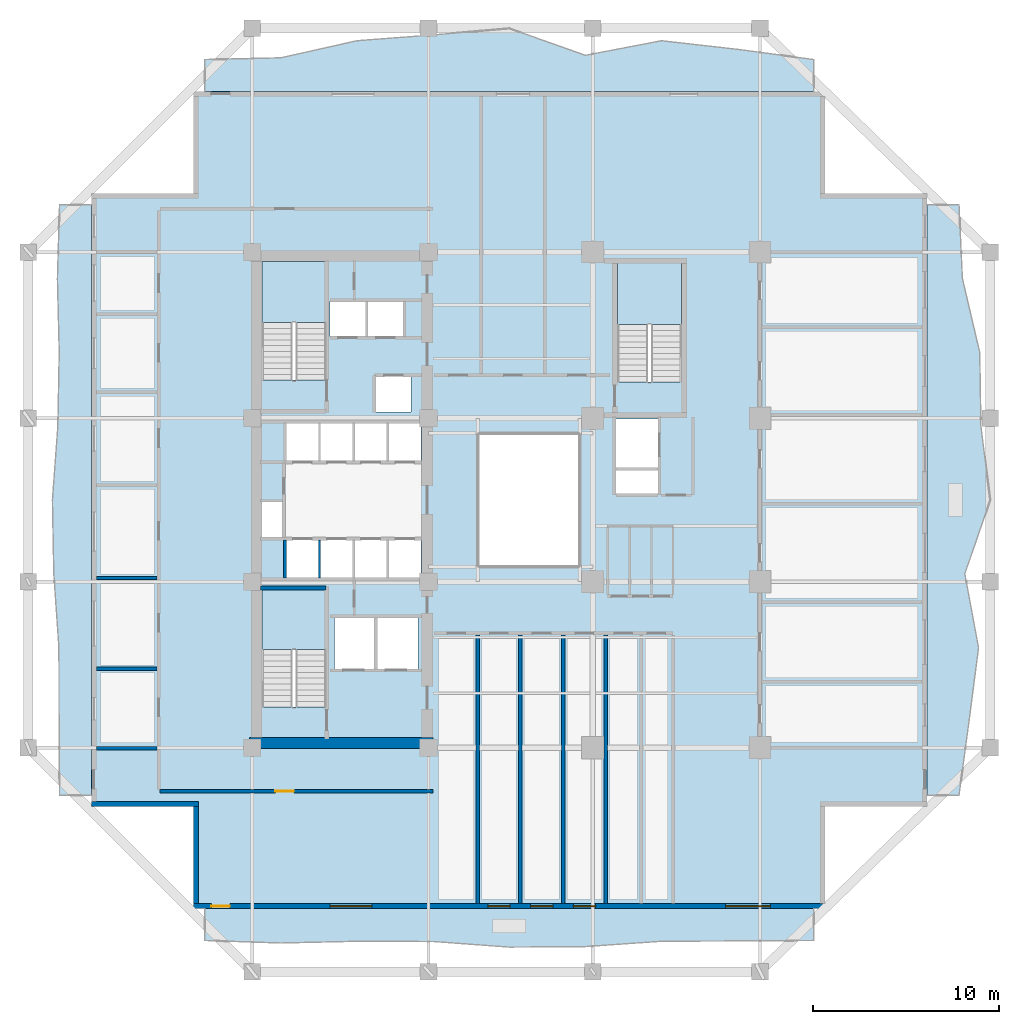
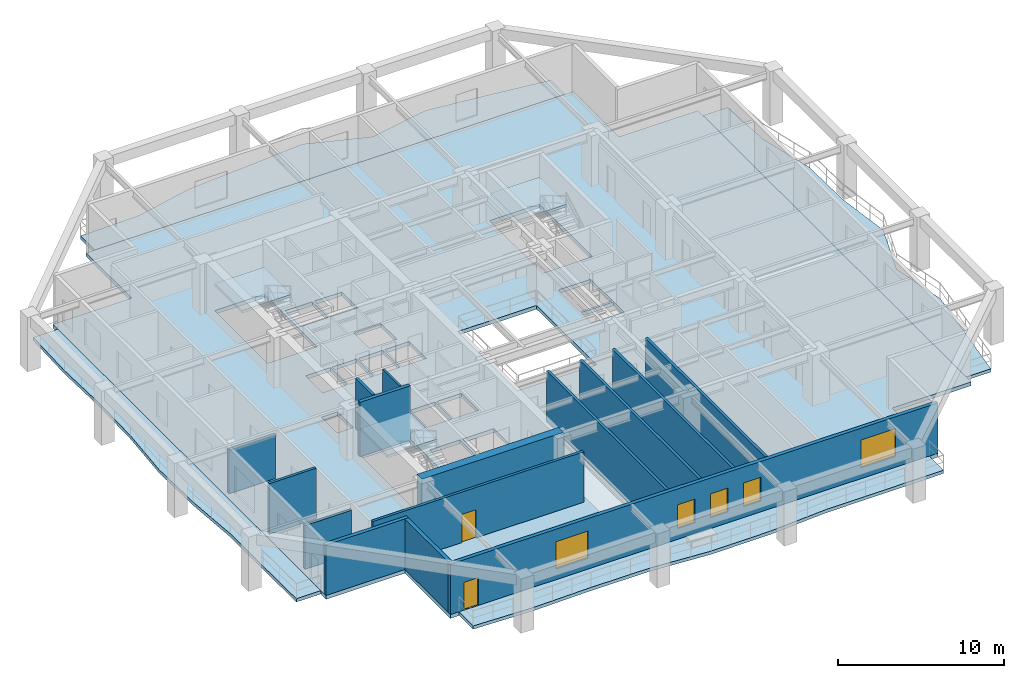
# One storey, part 2 of 14: 15 walls, 8 slabs, 5 windows, 2 doors, 7 openings, 3 elements without a shape of their own.
"""IFC4 building model written with IfcOpenShell, lengths in metres."""

from ifc_helpers import new_model, si_unit, direction, frame, frame_2d, origin, place, context, subcontext, project, spatial, polyline, rectangle, outline, extrude, material, layer, layer_set, type_object, element, fill, aggregate, save


model = new_model("IFC4")

# Units and contexts
model_context = context("Model", 3, precision=1e-05, world=origin(), true_north=direction((0.0, 1.0)))
body_context = subcontext(model_context, "Body", "Model", "MODEL_VIEW")
ifc_project = project(units=[si_unit("LENGTHUNIT", "METRE"), si_unit("AREAUNIT", "SQUARE_METRE"), si_unit("VOLUMEUNIT", "CUBIC_METRE"), si_unit("PLANEANGLEUNIT", "RADIAN"), si_unit("MASSUNIT", "GRAM", prefix="KILO")], contexts=[model_context])

# Site, building, storey
site_placement = place(None, origin())
site = spatial("IfcSite", under=ifc_project, at=site_placement, CompositionType="ELEMENT")
building_placement = place(site_placement, origin())
building = spatial("IfcBuilding", under=site, at=building_placement, Name="Kundavana Baori Tower", CompositionType="ELEMENT")
storey_placement = place(building_placement, frame((0.0, 0.0, 74.0)))
storey = spatial("IfcBuildingStorey", under=building, at=storey_placement, Name="L17", CompositionType="ELEMENT", Elevation=74.0)

# Slab
ifc_material_1 = material(Name="Concrete C40/50", Category="concrete")
ifc_layer_1 = layer(ifc_material_1, 0.280029296875, Name="SLB-FLR-280")
ifc_layer_set_1 = layer_set([ifc_layer_1], Name="Concrete C40/50")
slab_type_1 = type_object("IfcSlabType", Name="SLB-FLR-280", PredefinedType="FLOOR", material=ifc_layer_set_1)
slab_1_placement = place(storey_placement, frame((0.0, 0.0, -0.280029296875)))
element("IfcSlab", 1, at=slab_1_placement, inside=storey, type_object=slab_type_1, Name="L17 Structural Floor Slab", PredefinedType="FLOOR", context=body_context, shape_type="SweptSolid", body=[
    extrude(outline(polyline([(12.300048828125, 6.60009765625), (46.300048828125, 6.60009765625), (46.300048828125, 12.10009765625), (51.800048828125, 12.10009765625), (51.800048828125, 45.10009765625), (46.300048828125, 45.10009765625), (46.300048828125, 50.60009765625), (12.300048828125, 50.60009765625), (12.300048828125, 45.10009765625), (6.800048828125, 45.10009765625), (6.800048828125, 12.10009765625), (12.300048828125, 12.10009765625), (12.300048828125, 6.60009765625)]), holes=[polyline([(19.43994140625, 17.4619140625), (19.43994140625, 23.85009765625), (15.97998046875, 23.85009765625), (15.97998046875, 17.4619140625), (19.43994140625, 17.4619140625)]), polyline([(19.43994140625, 35.06201171875), (19.43994140625, 41.449951171875), (15.97998046875, 41.449951171875), (15.97998046875, 35.06201171875), (19.43994140625, 35.06201171875)]), polyline([(38.580078125, 34.9619140625), (38.580078125, 41.35009765625), (35.1201171875, 41.35009765625), (35.1201171875, 34.9619140625), (38.580078125, 34.9619140625)]), polyline([(17.300048828125, 24.39990234375), (19.02001953125, 24.39990234375), (19.02001953125, 26.449951171875), (17.300048828125, 26.449951171875), (17.300048828125, 24.39990234375)]), polyline([(19.139892578125, 24.39990234375), (20.860107421875, 24.39990234375), (20.860107421875, 26.449951171875), (19.139892578125, 26.449951171875), (19.139892578125, 24.39990234375)]), polyline([(20.97998046875, 24.39990234375), (22.699951171875, 24.39990234375), (22.699951171875, 26.449951171875), (20.97998046875, 26.449951171875), (20.97998046875, 24.39990234375)]), polyline([(22.820068359375, 24.39990234375), (24.5400390625, 24.39990234375), (24.5400390625, 26.449951171875), (22.820068359375, 26.449951171875), (22.820068359375, 24.39990234375)]), polyline([(17.300048828125, 30.699951171875), (19.02001953125, 30.699951171875), (19.02001953125, 32.75), (17.300048828125, 32.75), (17.300048828125, 30.699951171875)]), polyline([(19.139892578125, 30.699951171875), (20.860107421875, 30.699951171875), (20.860107421875, 32.75), (19.139892578125, 32.75), (19.139892578125, 30.699951171875)]), polyline([(20.97998046875, 30.699951171875), (22.699951171875, 30.699951171875), (22.699951171875, 32.75), (20.97998046875, 32.75), (20.97998046875, 30.699951171875)]), polyline([(22.820068359375, 30.699951171875), (24.5400390625, 30.699951171875), (24.5400390625, 32.75), (22.820068359375, 32.75), (22.820068359375, 30.699951171875)]), polyline([(19.64990234375, 37.39990234375), (21.550048828125, 37.39990234375), (21.550048828125, 39.300048828125), (19.64990234375, 39.300048828125), (19.64990234375, 37.39990234375)]), polyline([(21.699951171875, 37.39990234375), (23.60009765625, 37.39990234375), (23.60009765625, 39.300048828125), (21.699951171875, 39.300048828125), (21.699951171875, 37.39990234375)]), polyline([(22.10009765625, 33.35009765625), (24.0, 33.35009765625), (24.0, 35.25), (22.10009765625, 35.25), (22.10009765625, 33.35009765625)]), polyline([(19.8798828125, 19.5), (22.02001953125, 19.5), (22.02001953125, 22.25), (19.8798828125, 22.25), (19.8798828125, 19.5)]), polyline([(22.179931640625, 19.5), (24.3798828125, 19.5), (24.3798828125, 22.25), (22.179931640625, 22.25), (22.179931640625, 19.5)]), polyline([(35.050048828125, 30.35009765625), (37.300048828125, 30.35009765625), (37.300048828125, 32.949951171875), (35.050048828125, 32.949951171875), (35.050048828125, 30.35009765625)]), polyline([(15.949951171875, 26.60009765625), (17.080078125, 26.60009765625), (17.080078125, 28.5), (15.949951171875, 28.5), (15.949951171875, 26.60009765625)]), polyline([(35.050048828125, 28.949951171875), (37.300048828125, 28.949951171875), (37.300048828125, 30.199951171875), (35.050048828125, 30.199951171875), (35.050048828125, 28.949951171875)]), polyline([(27.60009765625, 25.0), (33.10009765625, 25.0), (33.10009765625, 32.199951171875), (27.60009765625, 32.199951171875), (27.60009765625, 25.0)])]), origin(), (0.0, 0.0, 1.0), 0.280029296875),
])

# Stair, slab
ifc_material_2 = material(Name="Concrete C40/50", Category="concrete")
stair_type = type_object("IfcStairType", Name="STR-DOG-1650", PredefinedType="HALF_TURN_STAIR", material=ifc_material_2)
stair_1_placement = place(storey_placement, origin())
stair_1 = element("IfcStair", 2, at=stair_1_placement, inside=storey, type_object=stair_type, Name="L17 Protected Exit Stair ST1", PredefinedType="HALF_TURN_STAIR")
ifc_material_3 = material(Name="Concrete C40/50", Category="concrete")
ifc_layer_2 = layer(ifc_material_3, 0.199951171875, Name="SLB-LND-200")
ifc_layer_set_2 = layer_set([ifc_layer_2], Name="Concrete C40/50")
slab_type_2 = type_object("IfcSlabType", Name="SLB-LND-200", PredefinedType="LANDING", material=ifc_layer_set_2)
slab_2_placement = place(storey_placement, frame((0.0, 0.0, 1.800048828125)))
slab_2 = element("IfcSlab", 3, at=slab_2_placement, type_object=slab_type_2, Name="ST1 landing 1", PredefinedType="LANDING", context=body_context, shape_type="SweptSolid", body=[
    extrude(outline(polyline([(19.43994140625, 20.550048828125), (19.43994140625, 23.85009765625), (15.97998046875, 23.85009765625), (15.97998046875, 20.550048828125), (19.43994140625, 20.550048828125)])), origin(), (0.0, 0.0, 1.0), 0.199951171875),
])
aggregate(stair_1, [slab_2])

stair_2_placement = place(storey_placement, origin())
stair_2 = element("IfcStair", 4, at=stair_2_placement, inside=storey, type_object=stair_type, Name="L17 Protected Exit Stair ST2", PredefinedType="HALF_TURN_STAIR")
slab_3_placement = place(storey_placement, frame((0.0, 0.0, 1.800048828125)))
slab_3 = element("IfcSlab", 5, at=slab_3_placement, type_object=slab_type_2, Name="ST2 landing 1", PredefinedType="LANDING", context=body_context, shape_type="SweptSolid", body=[
    extrude(outline(polyline([(19.43994140625, 38.14990234375), (19.43994140625, 41.449951171875), (15.97998046875, 41.449951171875), (15.97998046875, 38.14990234375), (19.43994140625, 38.14990234375)])), origin(), (0.0, 0.0, 1.0), 0.199951171875),
])
aggregate(stair_2, [slab_3])

stair_3_placement = place(storey_placement, origin())
stair_3 = element("IfcStair", 6, at=stair_3_placement, inside=storey, type_object=stair_type, Name="L17 Protected Exit Stair ST3", PredefinedType="HALF_TURN_STAIR")
slab_4_placement = place(storey_placement, frame((0.0, 0.0, 1.800048828125)))
slab_4 = element("IfcSlab", 7, at=slab_4_placement, type_object=slab_type_2, Name="ST3 landing 1", PredefinedType="LANDING", context=body_context, shape_type="SweptSolid", body=[
    extrude(outline(polyline([(38.580078125, 38.050048828125), (38.580078125, 41.35009765625), (35.1201171875, 41.35009765625), (35.1201171875, 38.050048828125), (38.580078125, 38.050048828125)])), origin(), (0.0, 0.0, 1.0), 0.199951171875),
])
aggregate(stair_3, [slab_4])

# Slabs
ifc_material_4 = material(Name="Concrete C40/50", Category="concrete")
ifc_layer_3 = layer(ifc_material_4, 0.239990234375, Name="SLB-LOG-240")
ifc_layer_set_3 = layer_set([ifc_layer_3], Name="Concrete C40/50")
slab_type_3 = type_object("IfcSlabType", Name="SLB-LOG-240", PredefinedType="FLOOR", material=ifc_layer_set_3)
slab_5_placement = place(storey_placement, frame((0.0, 0.0, -0.239990234375)))
element("IfcSlab", 8, at=slab_5_placement, inside=storey, type_object=slab_type_3, Name="L17 Planted Loggia Balcony Slab S", PredefinedType="FLOOR", context=body_context, shape_type="SweptSolid", body=[
    extrude(outline(polyline([(12.89990234375, 6.60009765625), (45.699951171875, 6.60009765625), (45.699951171875, 4.8798828125), (41.60009765625, 4.85595703125), (37.5, 4.8369140625), (33.39990234375, 4.549072265625), (29.300048828125, 4.52197265625), (25.199951171875, 4.822998046875), (21.10009765625, 4.8369140625), (17.0, 4.742919921875), (12.89990234375, 4.8798828125), (12.89990234375, 6.60009765625)])), origin(), (0.0, 0.0, 1.0), 0.239990234375),
])
slab_6_placement = place(storey_placement, frame((0.0, 0.0, -0.239990234375)))
element("IfcSlab", 9, at=slab_6_placement, inside=storey, type_object=slab_type_3, Name="L17 Planted Loggia Balcony Slab E", PredefinedType="FLOOR", context=body_context, shape_type="SweptSolid", body=[
    extrude(outline(polyline([(51.800048828125, 12.699951171875), (51.800048828125, 44.5), (53.52001953125, 44.5), (53.701904296875, 40.52490234375), (54.635986328125, 36.550048828125), (54.698974609375, 32.574951171875), (55.199951171875, 28.60009765625), (53.83203125, 24.625), (54.572021484375, 20.64990234375), (54.05810546875, 16.675048828125), (53.52001953125, 12.699951171875), (51.800048828125, 12.699951171875)])), origin(), (0.0, 0.0, 1.0), 0.239990234375),
])
slab_7_placement = place(storey_placement, frame((0.0, 0.0, -0.239990234375)))
element("IfcSlab", 10, at=slab_7_placement, inside=storey, type_object=slab_type_3, Name="L17 Planted Loggia Balcony Slab N", PredefinedType="FLOOR", context=body_context, shape_type="SweptSolid", body=[
    extrude(outline(polyline([(45.699951171875, 50.60009765625), (12.89990234375, 50.60009765625), (12.89990234375, 52.320068359375), (17.0, 52.4140625), (21.10009765625, 53.333984375), (25.199951171875, 53.64501953125), (29.300048828125, 54.0), (33.39990234375, 52.547119140625), (37.5, 53.333984375), (41.60009765625, 52.868896484375), (45.699951171875, 52.320068359375), (45.699951171875, 50.60009765625)])), origin(), (0.0, 0.0, 1.0), 0.239990234375),
])
slab_8_placement = place(storey_placement, frame((0.0, 0.0, -0.239990234375)))
element("IfcSlab", 11, at=slab_8_placement, inside=storey, type_object=slab_type_3, Name="L17 Planted Loggia Balcony Slab W", PredefinedType="FLOOR", context=body_context, shape_type="SweptSolid", body=[
    extrude(outline(polyline([(6.800048828125, 44.5), (6.800048828125, 12.699951171875), (5.080078125, 12.699951171875), (5.053955078125, 16.675048828125), (5.0458984375, 20.64990234375), (4.77001953125, 24.625), (4.696044921875, 28.60009765625), (4.987060546875, 32.574951171875), (5.06201171875, 36.550048828125), (4.965087890625, 40.52490234375), (5.080078125, 44.5), (6.800048828125, 44.5)])), origin(), (0.0, 0.0, 1.0), 0.239990234375),
])

# Walls
ifc_material_5 = material(Name="Concrete C50/60", Category="concrete")
ifc_layer_4 = layer(ifc_material_5, 0.39990234375, Name="WL-CORE-400")
ifc_layer_set_4 = layer_set([ifc_layer_4], Name="Concrete C50/60")
wall_type_1 = type_object("IfcWallType", Name="WL-CORE-400", PredefinedType="SHEAR", material=ifc_layer_set_4)
wall_1_placement = place(storey_placement, frame((15.89990234375, 23.860107421875, 0.0), z_axis=(0.0, 0.0, 1.0), x_axis=(1.0, 0.0, 0.0)))
element("IfcWall", 12, at=wall_1_placement, inside=storey, type_object=wall_type_1, Name="WL-L17-ST1-N", PredefinedType="SHEAR", context=body_context, shape_type="SweptSolid", body=[
    extrude(rectangle(XDim=3.52001953125, YDim=0.239990234375, at=frame_2d((1.760009765625, 0.0))), origin(), (0.0, 0.0, 1.0), 4.0),
])
ifc_material_6 = material(Name="Concrete C60/75", Category="concrete")
ifc_layer_5 = layer(ifc_material_6, 0.60009765625, Name="WL-CORE-600")
ifc_layer_set_5 = layer_set([ifc_layer_5], Name="Concrete C60/75")
wall_type_2 = type_object("IfcWallType", Name="WL-CORE-600", PredefinedType="SHEAR", material=ifc_layer_set_5)
wall_2_placement = place(storey_placement, frame((15.300048828125, 15.510009765625, 0.0), z_axis=(0.0, 0.0, 1.0), x_axis=(1.0, 0.0, 0.0)))
element("IfcWall", 13, at=wall_2_placement, inside=storey, type_object=wall_type_2, Name="L17 Offset Core South Shear Wall", PredefinedType="SHEAR", context=body_context, shape_type="SweptSolid", body=[
    extrude(rectangle(XDim=9.8798828125, YDim=0.60009765625, at=frame_2d((4.93994140625, 0.0))), origin(), (0.0, 0.0, 1.0), 3.719970703125),
])

# Wall, openings, door, windows
ifc_material_7 = material(Name="Kiln-Fired Terracotta Brick-Slip Masonry on Concrete C40/50", Category="masonry")
ifc_layer_6 = layer(ifc_material_7, 0.260009765625, Name="WL-EXT-BRK-260")
ifc_layer_set_6 = layer_set([ifc_layer_6], Name="Kiln-Fired Terracotta Brick-Slip Masonry on Concrete C40/50")
wall_type_3 = type_object("IfcWallType", Name="WL-EXT-BRK-260", PredefinedType="SOLIDWALL", material=ifc_layer_set_6)
wall_3_placement = place(storey_placement, frame((12.300048828125, 6.72998046875, 0.0), z_axis=(0.0, 0.0, 1.0), x_axis=(1.0, 0.0, 0.0)))
wall_3 = element("IfcWall", 14, at=wall_3_placement, inside=storey, type_object=wall_type_3, Name="L17 Exterior Insulated Facade Wall 01", PredefinedType="SOLIDWALL", context=body_context, shape_type="SweptSolid", body=[
    extrude(rectangle(XDim=34.0, YDim=0.260009765625, at=frame_2d((17.0, 0.0))), origin(), (0.0, 0.0, 1.0), 3.719970703125),
])
opening_1_placement = place(wall_3_placement, frame((0.949951171875, 0.0, 0.0)))
opening_1 = element("IfcOpeningElement", 15, at=opening_1_placement, cuts=wall_3, Name="Opening BD-1", PredefinedType="OPENING", context=body_context, shape_type="SweptSolid", body=[
    extrude(rectangle(XDim=1.0, YDim=2.050048828125, at=frame_2d((0.5, 1.02490234375))), frame((0.0, 0.14013671875, 0.0), z_axis=(0.0, -1.0, 0.0), x_axis=(1.0, 0.0, 0.0)), (0.0, 0.0, 1.0), 0.280029296875),
])
opening_2_placement = place(wall_3_placement, frame((7.35498046875, 0.0, 0.800048828125)))
opening_2 = element("IfcOpeningElement", 16, at=opening_2_placement, cuts=wall_3, Name="Opening W-10", PredefinedType="OPENING", context=body_context, shape_type="SweptSolid", body=[
    extrude(rectangle(XDim=2.25, YDim=2.0, at=frame_2d((1.125, 1.0))), frame((0.0, 0.14013671875, 0.0), z_axis=(0.0, -1.0, 0.0), x_axis=(1.0, 0.0, 0.0)), (0.0, 0.0, 1.0), 0.280029296875),
])
opening_3_placement = place(wall_3_placement, frame((15.85009765625, 0.0, 0.800048828125)))
opening_3 = element("IfcOpeningElement", 17, at=opening_3_placement, cuts=wall_3, Name="Opening W-03", PredefinedType="OPENING", context=body_context, shape_type="SweptSolid", body=[
    extrude(rectangle(XDim=1.199951171875, YDim=1.75, at=frame_2d((0.60009765625, 0.875))), frame((0.0, 0.14013671875, 0.0), z_axis=(0.0, -1.0, 0.0), x_axis=(1.0, 0.0, 0.0)), (0.0, 0.0, 1.0), 0.280029296875),
])
opening_4_placement = place(wall_3_placement, frame((18.14990234375, 0.0, 0.800048828125)))
opening_4 = element("IfcOpeningElement", 18, at=opening_4_placement, cuts=wall_3, Name="Opening W-03", PredefinedType="OPENING", context=body_context, shape_type="SweptSolid", body=[
    extrude(rectangle(XDim=1.199951171875, YDim=1.75, at=frame_2d((0.60009765625, 0.875))), frame((0.0, 0.14013671875, 0.0), z_axis=(0.0, -1.0, 0.0), x_axis=(1.0, 0.0, 0.0)), (0.0, 0.0, 1.0), 0.280029296875),
])
opening_5_placement = place(wall_3_placement, frame((20.449951171875, 0.0, 0.800048828125)))
opening_5 = element("IfcOpeningElement", 19, at=opening_5_placement, cuts=wall_3, Name="Opening W-03", PredefinedType="OPENING", context=body_context, shape_type="SweptSolid", body=[
    extrude(rectangle(XDim=1.199951171875, YDim=1.75, at=frame_2d((0.60009765625, 0.875))), frame((0.0, 0.14013671875, 0.0), z_axis=(0.0, -1.0, 0.0), x_axis=(1.0, 0.0, 0.0)), (0.0, 0.0, 1.0), 0.280029296875),
])
opening_6_placement = place(wall_3_placement, frame((28.655029296875, 0.0, 0.800048828125)))
opening_6 = element("IfcOpeningElement", 20, at=opening_6_placement, cuts=wall_3, Name="Opening W-04", PredefinedType="OPENING", context=body_context, shape_type="SweptSolid", body=[
    extrude(rectangle(XDim=2.39990234375, YDim=2.050048828125, at=frame_2d((1.199951171875, 1.02490234375))), frame((0.0, 0.14013671875, 0.0), z_axis=(0.0, -1.0, 0.0), x_axis=(1.0, 0.0, 0.0)), (0.0, 0.0, 1.0), 0.280029296875),
])
ifc_material_8 = material(Name="Architectural Patinated Bronze Metalwork")
door_type_1 = type_object("IfcDoorType", Name="DR-EXT-LOG-1000", OperationType="NOTDEFINED", PredefinedType="DOOR", material=ifc_material_8)
door_1_placement = place(opening_1_placement, frame((1.0, 0.0, 0.0), z_axis=(0.0, 0.0, 1.0), x_axis=(-1.0, 0.0, 0.0)))
door_1 = element("IfcDoor", 21, at=door_1_placement, inside=storey, type_object=door_type_1, Name="L17 Loggia Balcony Access Door S", OperationType="SINGLE_SWING_LEFT", OverallHeight=2.050048828125, OverallWidth=1.0, PredefinedType="DOOR", context=body_context, shape_type="SweptSolid", body=[
    extrude(rectangle(XDim=1.0, YDim=2.050048828125, at=frame_2d((0.5, 1.02490234375))), frame((0.0, 0.02490234375, 0.0), z_axis=(0.0, -1.0, 0.0), x_axis=(1.0, 0.0, 0.0)), (0.0, 0.0, 1.0), 0.050048828125),
])
fill(opening_1, door_1)
ifc_material_9 = material(Name="Double-Glazed Solar-Control Low-E Insulated Glass", Category="glass")
window_type_1 = type_object("IfcWindowType", Name="WIN-LOG-1200x1750", PartitioningType="SINGLE_PANEL", PredefinedType="WINDOW", material=ifc_material_9)
window_1_placement = place(opening_3_placement, origin())
window_1 = element("IfcWindow", 22, at=window_1_placement, inside=storey, type_object=window_type_1, Name="L17 Recessed Loggia Window S-2", OverallHeight=1.75, OverallWidth=1.199951171875, PartitioningType="SINGLE_PANEL", PredefinedType="WINDOW", context=body_context, shape_type="SweptSolid", body=[
    extrude(rectangle(XDim=1.199951171875, YDim=1.75, at=frame_2d((0.60009765625, 0.875))), frame((0.0, 0.030029296875, 0.0), z_axis=(0.0, -1.0, 0.0), x_axis=(1.0, 0.0, 0.0)), (0.0, 0.0, 1.0), 0.06005859375),
])
fill(opening_3, window_1)
window_2_placement = place(opening_4_placement, origin())
window_2 = element("IfcWindow", 23, at=window_2_placement, inside=storey, type_object=window_type_1, Name="L17 Recessed Loggia Window S-3", OverallHeight=1.75, OverallWidth=1.199951171875, PartitioningType="SINGLE_PANEL", PredefinedType="WINDOW", context=body_context, shape_type="SweptSolid", body=[
    extrude(rectangle(XDim=1.199951171875, YDim=1.75, at=frame_2d((0.60009765625, 0.875))), frame((0.0, 0.030029296875, 0.0), z_axis=(0.0, -1.0, 0.0), x_axis=(1.0, 0.0, 0.0)), (0.0, 0.0, 1.0), 0.06005859375),
])
fill(opening_4, window_2)
window_3_placement = place(opening_5_placement, origin())
window_3 = element("IfcWindow", 24, at=window_3_placement, inside=storey, type_object=window_type_1, Name="L17 Recessed Loggia Window S-4", OverallHeight=1.75, OverallWidth=1.199951171875, PartitioningType="SINGLE_PANEL", PredefinedType="WINDOW", context=body_context, shape_type="SweptSolid", body=[
    extrude(rectangle(XDim=1.199951171875, YDim=1.75, at=frame_2d((0.60009765625, 0.875))), frame((0.0, 0.030029296875, 0.0), z_axis=(0.0, -1.0, 0.0), x_axis=(1.0, 0.0, 0.0)), (0.0, 0.0, 1.0), 0.06005859375),
])
fill(opening_5, window_3)
ifc_material_10 = material(Name="Double-Glazed Solar-Control Low-E Insulated Glass", Category="glass")
window_type_2 = type_object("IfcWindowType", Name="WIN-LOG-2250x2000", PartitioningType="SINGLE_PANEL", PredefinedType="WINDOW", material=ifc_material_10)
window_4_placement = place(opening_2_placement, origin())
window_4 = element("IfcWindow", 25, at=window_4_placement, inside=storey, type_object=window_type_2, Name="L17 Recessed Loggia Window S-1", OverallHeight=2.0, OverallWidth=2.25, PartitioningType="SINGLE_PANEL", PredefinedType="WINDOW", context=body_context, shape_type="SweptSolid", body=[
    extrude(rectangle(XDim=2.25, YDim=2.0, at=frame_2d((1.125, 1.0))), frame((0.0, 0.030029296875, 0.0), z_axis=(0.0, -1.0, 0.0), x_axis=(1.0, 0.0, 0.0)), (0.0, 0.0, 1.0), 0.06005859375),
])
fill(opening_2, window_4)
ifc_material_11 = material(Name="Double-Glazed Solar-Control Low-E Insulated Glass", Category="glass")
window_type_3 = type_object("IfcWindowType", Name="WIN-LOG-2400x2050", PartitioningType="SINGLE_PANEL", PredefinedType="WINDOW", material=ifc_material_11)
window_5_placement = place(opening_6_placement, origin())
window_5 = element("IfcWindow", 26, at=window_5_placement, inside=storey, type_object=window_type_3, Name="L17 Recessed Loggia Window S-5", OverallHeight=2.050048828125, OverallWidth=2.39990234375, PartitioningType="SINGLE_PANEL", PredefinedType="WINDOW", context=body_context, shape_type="SweptSolid", body=[
    extrude(rectangle(XDim=2.39990234375, YDim=2.050048828125, at=frame_2d((1.199951171875, 1.02490234375))), frame((0.0, 0.030029296875, 0.0), z_axis=(0.0, -1.0, 0.0), x_axis=(1.0, 0.0, 0.0)), (0.0, 0.0, 1.0), 0.06005859375),
])
fill(opening_6, window_5)

# Walls
wall_4_placement = place(storey_placement, frame((6.800048828125, 12.22998046875, 0.0), z_axis=(0.0, 0.0, 1.0), x_axis=(1.0, 0.0, 0.0)))
element("IfcWall", 27, at=wall_4_placement, inside=storey, type_object=wall_type_3, Name="L17 Exterior Insulated Facade Wall 11", PredefinedType="SOLIDWALL", context=body_context, shape_type="SweptSolid", body=[
    extrude(rectangle(XDim=5.760009765625, YDim=0.260009765625, at=frame_2d((2.8798828125, 0.0))), origin(), (0.0, 0.0, 1.0), 3.719970703125),
])
wall_5_placement = place(storey_placement, frame((12.429931640625, 12.10009765625, 0.0), z_axis=(0.0, 0.0, 1.0), x_axis=(0.0, -1.0, 0.0)))
element("IfcWall", 28, at=wall_5_placement, inside=storey, type_object=wall_type_3, Name="L17 Exterior Insulated Facade Wall 12", PredefinedType="SOLIDWALL", context=body_context, shape_type="SweptSolid", body=[
    extrude(rectangle(XDim=5.239990234375, YDim=0.260009765625, at=frame_2d((2.6201171875, 0.0))), origin(), (0.0, 0.0, 1.0), 3.719970703125),
])
ifc_material_12 = material(Name="Acoustic Gypsum Plasterboard on Galvanised Steel Studs", Category="steel")
ifc_layer_7 = layer(ifc_material_12, 0.1201171875, Name="WL-PART-120")
ifc_layer_set_7 = layer_set([ifc_layer_7], Name="Acoustic Gypsum Plasterboard on Galvanised Steel Studs")
wall_type_4 = type_object("IfcWallType", Name="WL-PART-120", PredefinedType="PARTITIONING", material=ifc_layer_set_7)
wall_6_placement = place(storey_placement, frame((19.080078125, 24.39990234375, 0.0), z_axis=(0.0, 0.0, 1.0), x_axis=(0.0, 1.0, 0.0)))
element("IfcWall", 29, at=wall_6_placement, inside=storey, type_object=wall_type_4, Name="WL-L17-LPLOW-D1", PredefinedType="PARTITIONING", context=body_context, shape_type="SweptSolid", body=[
    extrude(rectangle(XDim=2.050048828125, YDim=0.1201171875, at=frame_2d((1.02490234375, 0.0))), origin(), (0.0, 0.0, 1.0), 3.719970703125),
])
ifc_material_13 = material(Name="Autoclaved Aerated Concrete Blockwork Masonry", Category="masonry")
ifc_layer_8 = layer(ifc_material_13, 0.18505859375, Name="WL-PART-180")
ifc_layer_set_8 = layer_set([ifc_layer_8], Name="Autoclaved Aerated Concrete Blockwork Masonry")
wall_type_5 = type_object("IfcWallType", Name="WL-PART-180", PredefinedType="SOLIDWALL", material=ifc_layer_set_8)
wall_7_placement = place(storey_placement, frame((7.080078125, 15.219970703125, 0.0), z_axis=(0.0, 0.0, 1.0), x_axis=(1.0, 0.0, 0.0)))
element("IfcWall", 30, at=wall_7_placement, inside=storey, type_object=wall_type_5, Name="WL-L17-OWS", PredefinedType="SOLIDWALL", context=body_context, shape_type="SweptSolid", body=[
    extrude(rectangle(XDim=3.260009765625, YDim=0.18505859375, at=frame_2d((1.6298828125, 0.0))), origin(), (0.0, 0.0, 1.0), 3.219970703125),
])

# Wall, opening, door
wall_8_placement = place(storey_placement, frame((10.5, 12.919921875, 0.0), z_axis=(0.0, 0.0, 1.0), x_axis=(1.0, 0.0, 0.0)))
wall_8 = element("IfcWall", 31, at=wall_8_placement, inside=storey, type_object=wall_type_5, Name="WL-L17-OSC", PredefinedType="SOLIDWALL", context=body_context, shape_type="SweptSolid", body=[
    extrude(rectangle(XDim=14.699951171875, YDim=0.18505859375, at=frame_2d((7.35009765625, 0.0))), origin(), (0.0, 0.0, 1.0), 3.719970703125),
])
opening_7_placement = place(wall_8_placement, frame((6.199951171875, 0.0, 0.0)))
opening_7 = element("IfcOpeningElement", 32, at=opening_7_placement, cuts=wall_8, Name="Opening ID-100", PredefinedType="OPENING", context=body_context, shape_type="SweptSolid", body=[
    extrude(rectangle(XDim=1.0, YDim=2.080078125, at=frame_2d((0.5, 1.0400390625))), frame((0.0, 0.1025390625, 0.0), z_axis=(0.0, -1.0, 0.0), x_axis=(1.0, 0.0, 0.0)), (0.0, 0.0, 1.0), 0.205078125),
])
ifc_material_14 = material(Name="Engineered Teak Solid-Core Timber Veneer", Category="wood")
door_type_2 = type_object("IfcDoorType", Name="DR-INT-1000", OperationType="NOTDEFINED", PredefinedType="DOOR", material=ifc_material_14)
door_2_placement = place(opening_7_placement, frame((1.0, 0.0, 0.0), z_axis=(0.0, 0.0, 1.0), x_axis=(-1.0, 0.0, 0.0)))
door_2 = element("IfcDoor", 33, at=door_2_placement, inside=storey, type_object=door_type_2, Name="DR-L17-OSWC", OperationType="SINGLE_SWING_LEFT", OverallHeight=2.080078125, OverallWidth=1.0, PredefinedType="DOOR", context=body_context, shape_type="SweptSolid", body=[
    extrude(rectangle(XDim=1.0, YDim=2.080078125, at=frame_2d((0.5, 1.0400390625))), frame((0.0, 0.02490234375, 0.0), z_axis=(0.0, -1.0, 0.0), x_axis=(1.0, 0.0, 0.0)), (0.0, 0.0, 1.0), 0.050048828125),
])
fill(opening_7, door_2)

# Walls
wall_9_placement = place(storey_placement, frame((7.080078125, 19.5, 0.0), z_axis=(0.0, 0.0, 1.0), x_axis=(1.0, 0.0, 0.0)))
element("IfcWall", 34, at=wall_9_placement, inside=storey, type_object=wall_type_5, Name="WL-L17-WD1", PredefinedType="SOLIDWALL", context=body_context, shape_type="SweptSolid", body=[
    extrude(rectangle(XDim=3.260009765625, YDim=0.18505859375, at=frame_2d((1.6298828125, 0.0))), origin(), (0.0, 0.0, 1.0), 3.719970703125),
])
wall_10_placement = place(storey_placement, frame((7.080078125, 24.39990234375, 0.0), z_axis=(0.0, 0.0, 1.0), x_axis=(1.0, 0.0, 0.0)))
element("IfcWall", 35, at=wall_10_placement, inside=storey, type_object=wall_type_5, Name="WL-L17-WD2", PredefinedType="SOLIDWALL", context=body_context, shape_type="SweptSolid", body=[
    extrude(rectangle(XDim=3.260009765625, YDim=0.18505859375, at=frame_2d((1.6298828125, 0.0))), origin(), (0.0, 0.0, 1.0), 3.219970703125),
])
for number, where, z_axis, x_axis, name in (
    (36, (27.60009765625, 6.8798828125, 0.0), (0.0, 0.0, 1.0), (0.0, 1.0, 0.0), "WL-L17-SD1"),
    (37, (29.89990234375, 6.8798828125, 0.0), (0.0, 0.0, 1.0), (0.0, 1.0, 0.0), "WL-L17-SD2"),
    (38, (32.199951171875, 6.8798828125, 0.0), (0.0, 0.0, 1.0), (0.0, 1.0, 0.0), "WL-L17-SD3"),
    (39, (34.5, 6.8798828125, 0.0), (0.0, 0.0, 1.0), (0.0, 1.0, 0.0), "WL-L17-SD4"),
):
    element("IfcWall", number, at=place(storey_placement, frame(where, z_axis=z_axis, x_axis=x_axis)), inside=storey, type_object=wall_type_5, Name=name, PredefinedType="SOLIDWALL", context=body_context, shape_type="SweptSolid", body=[
        extrude(rectangle(XDim=14.460205078125, YDim=0.18505859375, at=frame_2d((7.22998046875, 0.0))), origin(), (0.0, 0.0, 1.0), 3.719970703125),
    ])
ifc_material_15 = material(Name="Autoclaved Aerated Concrete Blockwork Masonry", Category="masonry")
ifc_layer_9 = layer(ifc_material_15, 0.179931640625, Name="WL-SHAFT-180")
ifc_layer_set_9 = layer_set([ifc_layer_9], Name="Autoclaved Aerated Concrete Blockwork Masonry")
wall_type_6 = type_object("IfcWallType", Name="WL-SHAFT-180", PredefinedType="SOLIDWALL", material=ifc_layer_set_9)
wall_11_placement = place(storey_placement, frame((17.219970703125, 24.39990234375, 0.0), z_axis=(0.0, 0.0, 1.0), x_axis=(0.0, 1.0, 0.0)))
element("IfcWall", 40, at=wall_11_placement, inside=storey, type_object=wall_type_6, Name="WL-L17-LPLOW-W", PredefinedType="SOLIDWALL", context=body_context, shape_type="SweptSolid", body=[
    extrude(rectangle(XDim=2.050048828125, YDim=0.179931640625, at=frame_2d((1.02490234375, 0.0))), origin(), (0.0, 0.0, 1.0), 3.719970703125),
])

save(model, "model.ifc")
